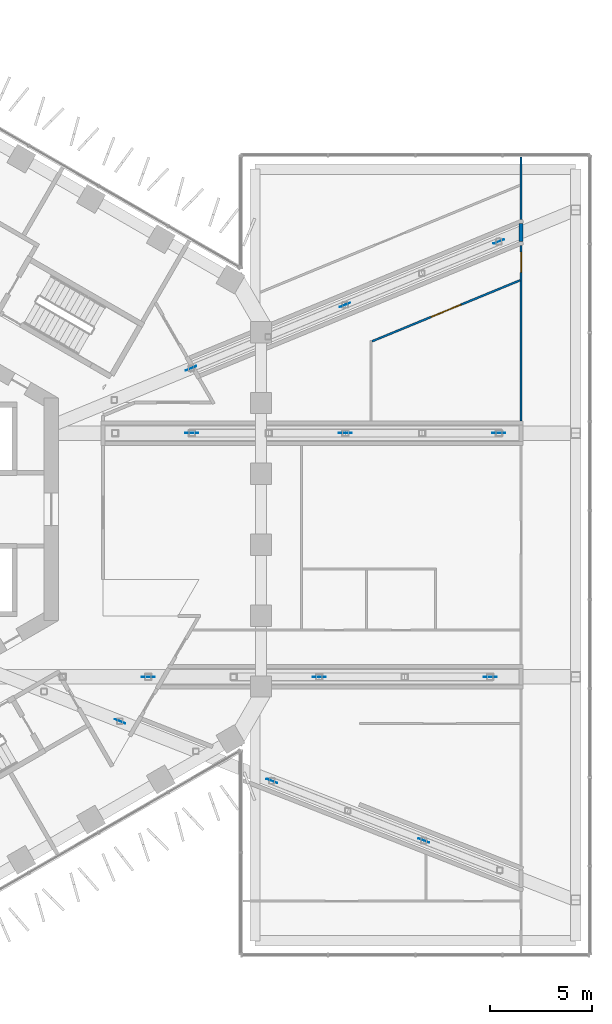
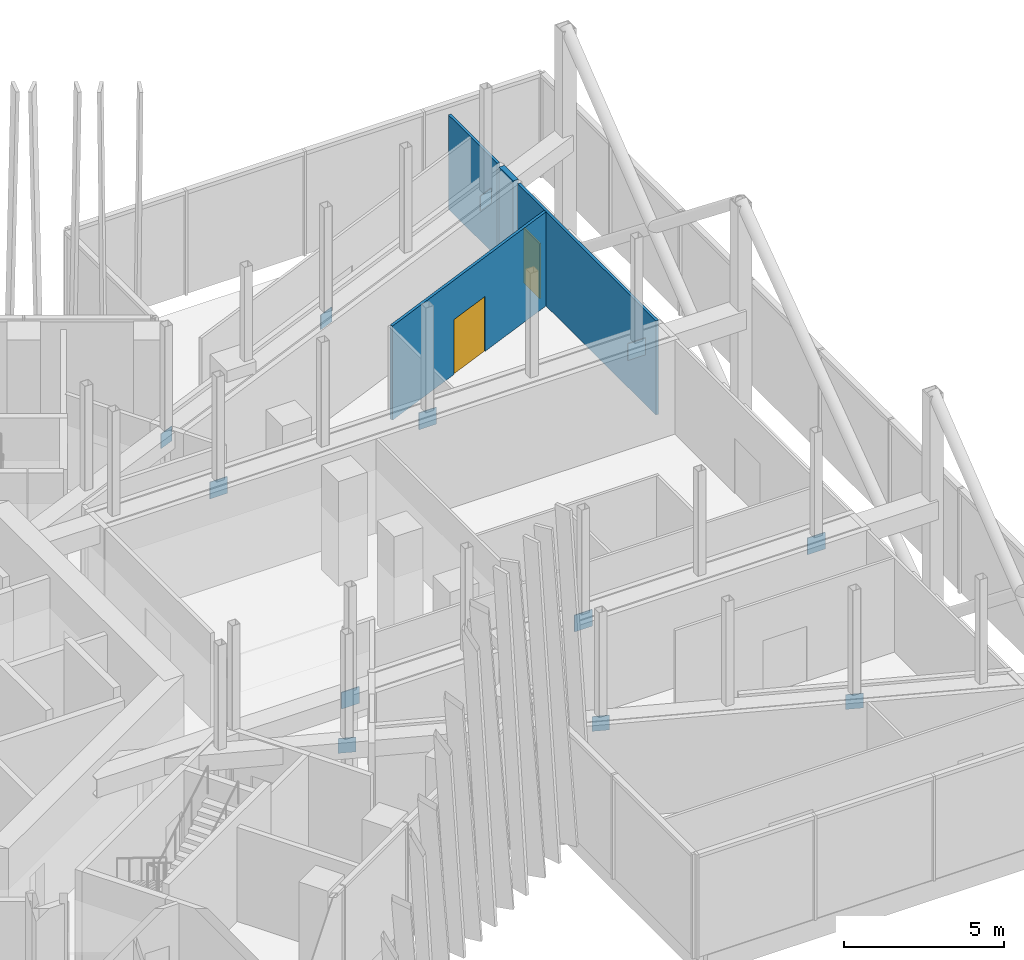
# One storey, part 23 of 28: 12 discrete accessories, 4 walls, 2 doors, 2 openings.
"""IFC4 building model written with IfcOpenShell, lengths in metres."""

from ifc_helpers import new_model, si_unit, direction, frame, frame_2d, origin, origin_2d, place, context, subcontext, project, spatial, rectangle, extrude, material, layer, layer_set, type_object, element, fill, save


model = new_model("IFC4")

# Units and contexts
model_context = context("Model", 3, precision=1e-05, world=origin(), true_north=direction((0.0, 1.0)))
body_context = subcontext(model_context, "Body", "Model", "MODEL_VIEW")
ifc_project = project(units=[si_unit("LENGTHUNIT", "METRE"), si_unit("AREAUNIT", "SQUARE_METRE"), si_unit("VOLUMEUNIT", "CUBIC_METRE"), si_unit("PLANEANGLEUNIT", "RADIAN"), si_unit("MASSUNIT", "GRAM", prefix="KILO")], contexts=[model_context])

# Site, building, storey
site_placement = place(None, origin())
site = spatial("IfcSite", under=ifc_project, at=site_placement, CompositionType="ELEMENT")
building_placement = place(site_placement, origin())
building = spatial("IfcBuilding", under=site, at=building_placement, Name="Ayvan Gate Tower", CompositionType="ELEMENT")
storey_placement = place(building_placement, frame((0.0, 0.0, 120.5)))
storey = spatial("IfcBuildingStorey", under=building, at=storey_placement, Name="L32", CompositionType="ELEMENT", Elevation=120.5)

# Wall, opening, door
ifc_material_1 = material(Name="Plasterboard on steel stud", Category="steel")
ifc_layer_1 = layer(ifc_material_1, 0.10009765625)
ifc_layer_set_1 = layer_set([ifc_layer_1], Name="Plasterboard on steel stud")
wall_type_1 = type_object("IfcWallType", Name="WT-PART-100", PredefinedType="PARTITIONING", material=ifc_layer_set_1)
wall_1_placement = place(storey_placement, frame((32.294189453125, 4.349853515625, 0.0), z_axis=(0.0, 0.0, 1.0), x_axis=(0.0, 1.0, 0.0)))
wall_1 = element("IfcWall", 1, at=wall_1_placement, inside=storey, type_object=wall_type_1, Name="IW-L32-145", PredefinedType="PARTITIONING", context=body_context, shape_type="SweptSolid", body=[
    extrude(rectangle(XDim=8.650634765625, YDim=0.10009765625, at=frame_2d((4.3251953125, 0.0))), origin(), (0.0, 0.0, 1.0), 3.60009765625),
])
opening_1_placement = place(wall_1_placement, frame((7.3154296875, 0.0, 0.0)))
opening_1 = element("IfcOpeningElement", 2, at=opening_1_placement, cuts=wall_1, Name="Opening L32-D32", PredefinedType="OPENING", context=body_context, shape_type="SweptSolid", body=[
    extrude(rectangle(XDim=1.0, YDim=2.10009765625, at=frame_2d((0.5, 1.050048828125))), frame((0.0, 0.06005859375, 0.0), z_axis=(0.0, -1.0, 0.0), x_axis=(1.0, 0.0, 0.0)), (0.0, 0.0, 1.0), 0.1201171875),
])
ifc_material_2 = material(Name="Timber door leaf", Category="wood")
door_type_1 = type_object("IfcDoorType", Name="DT-1000", OperationType="NOTDEFINED", PredefinedType="DOOR", material=ifc_material_2)
door_1_placement = place(opening_1_placement, origin())
door_1 = element("IfcDoor", 3, at=door_1_placement, inside=storey, type_object=door_type_1, Name="ID-L32-032", OperationType="SINGLE_SWING_RIGHT", OverallHeight=2.10009765625, OverallWidth=1.0, PredefinedType="DOOR", context=body_context, shape_type="SweptSolid", body=[
    extrude(rectangle(XDim=1.0, YDim=2.10009765625, at=frame_2d((0.5, 1.050048828125))), frame((0.0, 0.02490234375, 0.0), z_axis=(0.0, -1.0, 0.0), x_axis=(1.0, 0.0, 0.0)), (0.0, 0.0, 1.0), 0.050048828125),
])
fill(opening_1, door_1)

wall_2_placement = place(storey_placement, frame((32.247802734375, 11.28125, 0.0), z_axis=(0.0, 0.0, 1.0), x_axis=(-0.924598044609, -0.380944163763, 0.0)))
wall_2 = element("IfcWall", 4, at=wall_2_placement, inside=storey, type_object=wall_type_1, Name="IW-L32-147", PredefinedType="PARTITIONING", context=body_context, shape_type="SweptSolid", body=[
    extrude(rectangle(XDim=7.89697265625, YDim=0.10009765625, at=frame_2d((3.948486328125, 0.0))), origin(), (0.0, 0.0, 1.0), 3.60009765625),
])
opening_2_placement = place(wall_2_placement, frame((3.1484375, 0.0, 0.0)))
opening_2 = element("IfcOpeningElement", 5, at=opening_2_placement, cuts=wall_2, Name="Opening L32-D44", PredefinedType="OPENING", context=body_context, shape_type="SweptSolid", body=[
    extrude(rectangle(XDim=1.60009765625, YDim=2.10009765625, at=frame_2d((0.800048828125, 1.050048828125))), frame((0.0, 0.06005859375, 0.0), z_axis=(0.0, -1.0, 0.0), x_axis=(1.0, 0.0, 0.0)), (0.0, 0.0, 1.0), 0.1201171875),
])
door_type_2 = type_object("IfcDoorType", Name="DT-1600", OperationType="NOTDEFINED", PredefinedType="DOOR", material=ifc_material_2)
door_2_placement = place(opening_2_placement, origin())
door_2 = element("IfcDoor", 6, at=door_2_placement, inside=storey, type_object=door_type_2, Name="ID-L32-044", OperationType="SINGLE_SWING_RIGHT", OverallHeight=2.10009765625, OverallWidth=1.60009765625, PredefinedType="DOOR", context=body_context, shape_type="SweptSolid", body=[
    extrude(rectangle(XDim=1.60009765625, YDim=2.10009765625, at=frame_2d((0.800048828125, 1.050048828125))), frame((0.0, 0.02490234375, 0.0), z_axis=(0.0, -1.0, 0.0), x_axis=(1.0, 0.0, 0.0)), (0.0, 0.0, 1.0), 0.050048828125),
])
fill(opening_2, door_2)

# Walls
wall_3_placement = place(storey_placement, frame((32.294189453125, 14.28173828125, 0.0), z_axis=(0.0, 0.0, 1.0), x_axis=(0.0, 1.0, 0.0)))
element("IfcWall", 7, at=wall_3_placement, inside=storey, type_object=wall_type_1, Name="IW-L32-149", PredefinedType="PARTITIONING", context=body_context, shape_type="SweptSolid", body=[
    extrude(rectangle(XDim=3.064208984375, YDim=0.10009765625, at=frame_2d((1.5322265625, 0.0))), origin(), (0.0, 0.0, 1.0), 3.60009765625),
])
ifc_layer_2 = layer(ifc_material_1, 0.199951171875)
ifc_layer_set_2 = layer_set([ifc_layer_2], Name="Plasterboard on steel stud")
wall_type_2 = type_object("IfcWallType", Name="WT-PLUMB-200", PredefinedType="PLUMBINGWALL", material=ifc_layer_set_2)
wall_4_placement = place(storey_placement, frame((32.294189453125, 14.081787109375, 0.0), z_axis=(0.0, 0.0, 1.0), x_axis=(0.0, -1.0, 0.0)))
element("IfcWall", 8, at=wall_4_placement, inside=storey, type_object=wall_type_2, Name="IW-L32-150", PredefinedType="PLUMBINGWALL", context=body_context, shape_type="SweptSolid", body=[
    extrude(rectangle(XDim=0.88134765625, YDim=0.199951171875, at=frame_2d((0.440673828125, 0.0))), origin(), (0.0, 0.0, 1.0), 3.60009765625),
])

# Discrete accessories
ifc_material_3 = material(Name="Steel S460ML", Category="steel")
ifc_layer_3 = layer(ifc_material_3, 0.02490234375)
ifc_layer_set_3 = layer_set([ifc_layer_3], Name="Steel S460ML")
discrete_accessory_type_1 = type_object("IfcDiscreteAccessoryType", Name="Gusset plate 25 mm", PredefinedType="BRACKET", material=ifc_layer_set_3)
for number, where, z_axis, x_axis, name in (
    (9, (12.536865234375, -10.441650390625, 2.969970703125), (0.0, 0.0, 1.0), (-0.930902894956, 0.365266752064, 0.0), "Gusset plate SBT2-1-D-2"),
    (10, (20.019775390625, -13.377685546875, 2.969970703125), (0.0, 0.0, 1.0), (-0.930902894956, 0.365266752064, 0.0), "Gusset plate SBT2-1-D-4"),
    (11, (27.502685546875, -16.31396484375, 2.969970703125), (0.0, 0.0, 1.0), (-0.930902894956, 0.365266752064, 0.0), "Gusset plate SBT2-1-D-6"),
    (12, (16.043212890625, 6.94580078125, 2.969970703125), (0.0, 0.0, 1.0), (0.924601891511, 0.380934826728, 0.0), "Gusset plate SBT2-4-D-2"),
    (13, (23.6201171875, 10.0673828125, 2.969970703125), (0.0, 0.0, 1.0), (0.924601891511, 0.380934826728, 0.0), "Gusset plate SBT2-4-D-4"),
    (14, (31.197021484375, 13.189208984375, 2.969970703125), (0.0, 0.0, 1.0), (0.924601891511, 0.380934826728, 0.0), "Gusset plate SBT2-4-D-6"),
):
    element("IfcDiscreteAccessory", number, at=place(storey_placement, frame(where, z_axis=z_axis, x_axis=x_axis)), inside=storey, type_object=discrete_accessory_type_1, Name=name, PredefinedType="BRACKET", context=body_context, shape_type="SweptSolid", body=[
        extrude(rectangle(XDim=0.56005859375, YDim=0.02490234375, at=origin_2d()), origin(), (0.0, 0.0, 1.0), 0.56005859375),
    ])
ifc_layer_4 = layer(ifc_material_3, 0.030029296875)
ifc_layer_set_4 = layer_set([ifc_layer_4], Name="Steel S460ML")
discrete_accessory_type_2 = type_object("IfcDiscreteAccessoryType", Name="Gusset plate 30 mm", PredefinedType="BRACKET", material=ifc_layer_set_4)
for number, where, z_axis, x_axis, name in (
    (15, (13.923095703125, -8.25, 2.93017578125), (0.0, 0.0, 1.0), (1.0, 0.0, 0.0), "Gusset plate SBT2-2-D-2"),
    (16, (22.34814453125, -8.25, 2.93017578125), (0.0, 0.0, 1.0), (1.0, 0.0, 0.0), "Gusset plate SBT2-2-D-4"),
    (17, (30.773193359375, -8.25, 2.93017578125), (0.0, 0.0, 1.0), (1.0, 0.0, 0.0), "Gusset plate SBT2-2-D-6"),
    (18, (16.080810546875, 3.75, 2.93017578125), (0.0, 0.0, 1.0), (1.0, 0.0, 0.0), "Gusset plate SBT2-3-D-2"),
    (19, (23.642822265625, 3.75, 2.93017578125), (0.0, 0.0, 1.0), (1.0, 0.0, 0.0), "Gusset plate SBT2-3-D-4"),
    (20, (31.20458984375, 3.75, 2.93017578125), (0.0, 0.0, 1.0), (1.0, 0.0, 0.0), "Gusset plate SBT2-3-D-6"),
):
    element("IfcDiscreteAccessory", number, at=place(storey_placement, frame(where, z_axis=z_axis, x_axis=x_axis)), inside=storey, type_object=discrete_accessory_type_2, Name=name, PredefinedType="BRACKET", context=body_context, shape_type="SweptSolid", body=[
        extrude(rectangle(XDim=0.639892578125, YDim=0.030029296875, at=origin_2d()), origin(), (0.0, 0.0, 1.0), 0.639892578125),
    ])

save(model, "model.ifc")
